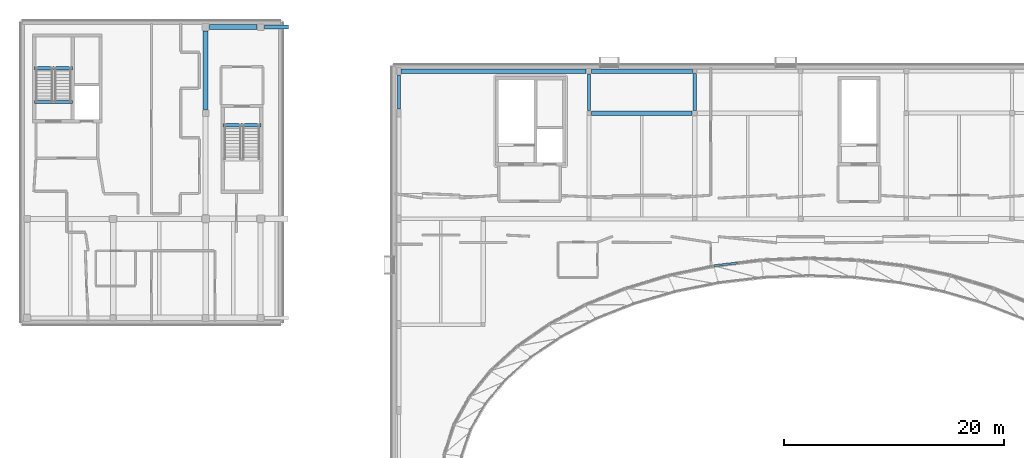
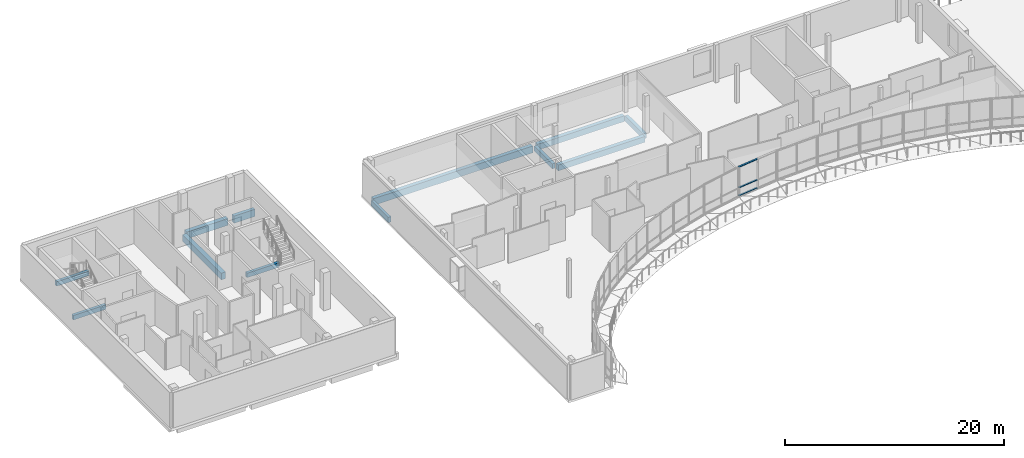
# One storey, part 5 of 18: 12 beams, 3 members, 1 element without a shape of its own.
"""IFC4 building model written with IfcOpenShell, lengths in metres."""

from ifc_helpers import new_model, si_unit, direction, frame, origin, origin_2d, place, context, subcontext, project, spatial, rectangle, extrude, material, material_profile, profile_set, type_object, element, aggregate, save


model = new_model("IFC4")

# Units and contexts
model_context = context("Model", 3, precision=1e-05, world=origin(), true_north=direction((0.0, 1.0)))
body_context = subcontext(model_context, "Body", "Model", "MODEL_VIEW")
ifc_project = project(units=[si_unit("LENGTHUNIT", "METRE"), si_unit("AREAUNIT", "SQUARE_METRE"), si_unit("VOLUMEUNIT", "CUBIC_METRE"), si_unit("PLANEANGLEUNIT", "RADIAN"), si_unit("MASSUNIT", "GRAM", prefix="KILO")], contexts=[model_context])

# Site, building, storey
site_placement = place(None, origin())
site = spatial("IfcSite", under=ifc_project, at=site_placement, CompositionType="ELEMENT")
building_placement = place(site_placement, origin())
building = spatial("IfcBuilding", under=site, at=building_placement, Name="Mzevani Central Library", CompositionType="ELEMENT")
storey_placement = place(building_placement, frame((0.0, 0.0, 18.300048828125)))
storey = spatial("IfcBuildingStorey", under=building, at=storey_placement, Name="L04", CompositionType="ELEMENT", Elevation=18.300048828125)

# Beams
ifc_material_1 = material(Name="Concrete C35/45", Category="concrete")
ifc_material_profile_1 = material_profile(ifc_material_1, rectangle(XDim=0.300048828125, YDim=0.5, at=origin_2d()), Name="RC B300x500")
ifc_profile_set_1 = profile_set([ifc_material_profile_1], Name="Concrete C35/45")
beam_type_1 = type_object("IfcBeamType", Name="Beam RC 300x500", PredefinedType="BEAM", material=ifc_profile_set_1)
for number, where, z_axis, x_axis, name in (
    (1, (13.679931640625, 113.679931640625, 1.64990234375), (1.0, 0.0, 0.0), (0.0, 1.0, 0.0), "L04 Core C2A North-West Firefighting Core Stair Landing Beam 1"),
    (2, (13.679931640625, 110.60009765625, -0.25), (1.0, 0.0, 0.0), (0.0, 1.0, 0.0), "L04 Core C2A North-West Firefighting Core Stair Opening Trimmer Beam"),
):
    element("IfcBeam", number, at=place(storey_placement, frame(where, z_axis=z_axis, x_axis=x_axis)), inside=storey, type_object=beam_type_1, Name=name, PredefinedType="BEAM", context=body_context, shape_type="SweptSolid", body=[
        extrude(rectangle(XDim=0.300048828125, YDim=0.5, at=origin_2d()), origin(), (0.0, 0.0, 1.0), 3.440185546875),
    ])
beam_1_placement = place(storey_placement, frame((30.780029296875, 108.5, -0.25), z_axis=(1.0, 0.0, 0.0), x_axis=(0.0, 1.0, 0.0)))
element("IfcBeam", 3, at=beam_1_placement, inside=storey, type_object=beam_type_1, Name="L04 Core C2B Stacks East Escape Stair Stair Opening Trimmer Beam", PredefinedType="BEAM", context=body_context, shape_type="SweptSolid", body=[
    extrude(rectangle(XDim=0.300048828125, YDim=0.5, at=origin_2d()), origin(), (0.0, 0.0, 1.0), 3.43994140625),
])
ifc_material_profile_2 = material_profile(ifc_material_1, rectangle(XDim=0.300048828125, YDim=0.550048828125, at=origin_2d()), Name="RC B300x550")
ifc_profile_set_2 = profile_set([ifc_material_profile_2], Name="Concrete C35/45")
beam_type_2 = type_object("IfcBeamType", Name="Beam RC 300x550", PredefinedType="BEAM", material=ifc_profile_set_2)
beam_2_placement = place(storey_placement, frame((64.0, 109.824951171875, -0.554931640625), z_axis=(0.0, 1.0, 0.0), x_axis=(-1.0, 0.0, 0.0)))
element("IfcBeam", 4, at=beam_2_placement, inside=storey, type_object=beam_type_2, Name="L04 V3 Frame Beam B-02 (737)", PredefinedType="BEAM", context=body_context, shape_type="SweptSolid", body=[
    extrude(rectangle(XDim=0.300048828125, YDim=0.550048828125, at=origin_2d()), origin(), (0.0, 0.0, 1.0), 3.324951171875),
])
ifc_material_profile_3 = material_profile(ifc_material_1, rectangle(XDim=0.300048828125, YDim=0.60009765625, at=origin_2d()), Name="RC B300x600")
ifc_profile_set_3 = profile_set([ifc_material_profile_3], Name="Concrete C35/45")
beam_type_3 = type_object("IfcBeamType", Name="Beam RC 300x600", PredefinedType="BEAM", material=ifc_profile_set_3)
beam_3_placement = place(storey_placement, frame((46.75, 109.949951171875, -0.580078125), z_axis=(0.0, 1.0, 0.0), x_axis=(-1.0, 0.0, 0.0)))
element("IfcBeam", 5, at=beam_3_placement, inside=storey, type_object=beam_type_3, Name="L04 V3 Frame Beam B-03 (734)", PredefinedType="BEAM", context=body_context, shape_type="SweptSolid", body=[
    extrude(rectangle(XDim=0.300048828125, YDim=0.60009765625, at=origin_2d()), origin(), (0.0, 0.0, 1.0), 3.10009765625),
])
ifc_material_profile_4 = material_profile(ifc_material_1, rectangle(XDim=0.35009765625, YDim=0.60009765625, at=origin_2d()), Name="RC B350x600")
ifc_profile_set_4 = profile_set([ifc_material_profile_4], Name="Concrete C35/45")
beam_type_4 = type_object("IfcBeamType", Name="Beam RC 350x600", PredefinedType="BEAM", material=ifc_profile_set_4)
beam_4_placement = place(storey_placement, frame((73.60009765625, 109.85009765625, -0.580078125), z_axis=(0.0, 1.0, 0.0), x_axis=(-1.0, 0.0, 0.0)))
element("IfcBeam", 6, at=beam_4_placement, inside=storey, type_object=beam_type_4, Name="L04 V3 Frame Beam B-04 (739)", PredefinedType="BEAM", context=body_context, shape_type="SweptSolid", body=[
    extrude(rectangle(XDim=0.35009765625, YDim=0.60009765625, at=origin_2d()), origin(), (0.0, 0.0, 1.0), 3.349853515625),
])
ifc_material_profile_5 = material_profile(ifc_material_1, rectangle(XDim=0.39990234375, YDim=0.64990234375, at=origin_2d()), Name="RC B400x650")
ifc_profile_set_5 = profile_set([ifc_material_profile_5], Name="Concrete C35/45")
beam_type_5 = type_object("IfcBeamType", Name="Beam RC 400x650", PredefinedType="BEAM", material=ifc_profile_set_5)
beam_5_placement = place(storey_placement, frame((64.22509765625, 109.60009765625, -0.60498046875), z_axis=(1.0, 0.0, 0.0), x_axis=(0.0, 1.0, 0.0)))
element("IfcBeam", 7, at=beam_5_placement, inside=storey, type_object=beam_type_5, Name="L04 V3 Girder B-07 (714)", PredefinedType="BEAM", context=body_context, shape_type="SweptSolid", body=[
    extrude(rectangle(XDim=0.39990234375, YDim=0.64990234375, at=origin_2d()), origin(), (0.0, 0.0, 1.0), 9.125),
])
beam_6_placement = place(storey_placement, frame((64.25, 113.39990234375, -0.60498046875), z_axis=(1.0, 0.0, 0.0), x_axis=(0.0, 1.0, 0.0)))
element("IfcBeam", 8, at=beam_6_placement, inside=storey, type_object=beam_type_5, Name="L04 V3 Girder B-07 (722)", PredefinedType="BEAM", context=body_context, shape_type="SweptSolid", body=[
    extrude(rectangle(XDim=0.39990234375, YDim=0.64990234375, at=origin_2d()), origin(), (0.0, 0.0, 1.0), 9.14990234375),
])
ifc_material_profile_6 = material_profile(ifc_material_1, rectangle(XDim=0.39990234375, YDim=0.75, at=origin_2d()), Name="RC B400x750")
ifc_profile_set_6 = profile_set([ifc_material_profile_6], Name="Concrete C35/45")
beam_type_6 = type_object("IfcBeamType", Name="Beam RC 400x750", PredefinedType="BEAM", material=ifc_profile_set_6)
beam_7_placement = place(storey_placement, frame((46.925048828125, 113.39990234375, -0.655029296875), z_axis=(1.0, 0.0, 0.0), x_axis=(0.0, 1.0, 0.0)))
element("IfcBeam", 9, at=beam_7_placement, inside=storey, type_object=beam_type_6, Name="L04 V3 Girder B-09 (721)", PredefinedType="BEAM", context=body_context, shape_type="SweptSolid", body=[
    extrude(rectangle(XDim=0.39990234375, YDim=0.75, at=origin_2d()), origin(), (0.0, 0.0, 1.0), 16.824951171875),
])

# Curtain wall, members
ifc_material_2 = material(Name="Thermally broken aluminium and Low-E triple glazing", Category="aluminium")
curtain_wall_type = type_object("IfcCurtainWallType", Name="Elliptical Court Unitised Curtain Wall", PredefinedType="NOTDEFINED", material=ifc_material_2)
curtain_wall_placement = place(storey_placement, origin())
curtain_wall = element("IfcCurtainWall", 10, at=curtain_wall_placement, inside=storey, type_object=curtain_wall_type, Name="L04 Elliptical Court Curtain Wall 14", PredefinedType="NOTDEFINED")
ifc_material_3 = material(Name="Thermally broken aluminium AW-6060", Category="aluminium")
ifc_material_profile_7 = material_profile(ifc_material_3, rectangle(XDim=0.18994140625, YDim=0.070068359375, at=origin_2d()), Name="ALU T70x190")
ifc_profile_set_7 = profile_set([ifc_material_profile_7], Name="Thermally broken aluminium AW-6060")
member_type = type_object("IfcMemberType", Name="CW Transom 70x190", PredefinedType="USERDEFINED", material=ifc_profile_set_7)
member_1_placement = place(storey_placement, frame((77.468505859375, 95.990478515625, 0.719970703125), z_axis=(-0.992751897741, -0.120181818642, 0.0), x_axis=(0.120181818642, -0.992751897741, 0.0)))
member_1 = element("IfcMember", 11, at=member_1_placement, type_object=member_type, Name="L04 Elliptical Court Curtain Wall 14 Transom 4", ObjectType="TRANSOM", PredefinedType="USERDEFINED", context=body_context, shape_type="SweptSolid", body=[
    extrude(rectangle(XDim=0.18994140625, YDim=0.070068359375, at=origin_2d()), origin(), (0.0, 0.0, 1.0), 2.145263671875),
])
member_2_placement = place(storey_placement, frame((77.468505859375, 95.990478515625, 1.619873046875), z_axis=(-0.992751897741, -0.120181818642, 0.0), x_axis=(0.120181818642, -0.992751897741, 0.0)))
member_2 = element("IfcMember", 12, at=member_2_placement, type_object=member_type, Name="L04 Elliptical Court Curtain Wall 14 Transom 5", ObjectType="TRANSOM", PredefinedType="USERDEFINED", context=body_context, shape_type="SweptSolid", body=[
    extrude(rectangle(XDim=0.18994140625, YDim=0.070068359375, at=origin_2d()), origin(), (0.0, 0.0, 1.0), 2.145263671875),
])
member_3_placement = place(storey_placement, frame((77.468505859375, 95.990478515625, 3.919921875), z_axis=(-0.992751897741, -0.120181818642, 0.0), x_axis=(0.120181818642, -0.992751897741, 0.0)))
member_3 = element("IfcMember", 13, at=member_3_placement, type_object=member_type, Name="L04 Elliptical Court Curtain Wall 14 Transom 6", ObjectType="TRANSOM", PredefinedType="USERDEFINED", context=body_context, shape_type="SweptSolid", body=[
    extrude(rectangle(XDim=0.18994140625, YDim=0.070068359375, at=origin_2d()), origin(), (0.0, 0.0, 1.0), 2.145263671875),
])
aggregate(curtain_wall, [member_1, member_2, member_3])

# Beams
ifc_material_4 = material(Name="Precast concrete C40/50", Category="concrete")
ifc_material_profile_8 = material_profile(ifc_material_4, rectangle(XDim=0.35009765625, YDim=0.800048828125, at=origin_2d()), Name="RC SP350x800")
ifc_profile_set_8 = profile_set([ifc_material_profile_8], Name="Precast concrete C40/50")
beam_type_7 = type_object("IfcBeamType", Name="Colonnade Fascia Beam RC 350x800", PredefinedType="SPANDREL", material=ifc_profile_set_8)
beam_8_placement = place(storey_placement, frame((34.52490234375, 117.39990234375, -0.719970703125), z_axis=(1.0, 0.0, 0.0), x_axis=(0.0, 1.0, 0.0)))
element("IfcBeam", 14, at=beam_8_placement, inside=storey, type_object=beam_type_7, Name="L04 V2 Girder SP-02 (387)", PredefinedType="SPANDREL", context=body_context, shape_type="SweptSolid", body=[
    extrude(rectangle(XDim=0.35009765625, YDim=0.800048828125, at=origin_2d()), origin(), (0.0, 0.0, 1.0), 2.2001953125),
])
ifc_material_5 = material(Name="Concrete C40/50", Category="concrete")
ifc_material_profile_9 = material_profile(ifc_material_5, rectangle(XDim=0.449951171875, YDim=0.75, at=origin_2d()), Name="RC B450x750")
ifc_profile_set_9 = profile_set([ifc_material_profile_9], Name="Concrete C40/50")
beam_type_8 = type_object("IfcBeamType", Name="Stack Girder RC 450x750", PredefinedType="BEAM", material=ifc_profile_set_9)
beam_9_placement = place(storey_placement, frame((29.550048828125, 117.39990234375, -0.695068359375), z_axis=(1.0, 0.0, 0.0), x_axis=(0.0, 1.0, 0.0)))
element("IfcBeam", 15, at=beam_9_placement, inside=storey, type_object=beam_type_8, Name="L04 V2 Girder BG-02 (386)", PredefinedType="BEAM", context=body_context, shape_type="SweptSolid", body=[
    extrude(rectangle(XDim=0.449951171875, YDim=0.75, at=origin_2d()), origin(), (0.0, 0.0, 1.0), 4.324951171875),
])
beam_10_placement = place(storey_placement, frame((29.199951171875, 109.925048828125, -0.695068359375), z_axis=(0.0, 1.0, 0.0), x_axis=(-1.0, 0.0, 0.0)))
element("IfcBeam", 16, at=beam_10_placement, inside=storey, type_object=beam_type_8, Name="L04 V2 Frame Beam BG-02 (393)", PredefinedType="BEAM", context=body_context, shape_type="SweptSolid", body=[
    extrude(rectangle(XDim=0.449951171875, YDim=0.75, at=origin_2d()), origin(), (0.0, 0.0, 1.0), 7.125),
])

save(model, "model.ifc")
